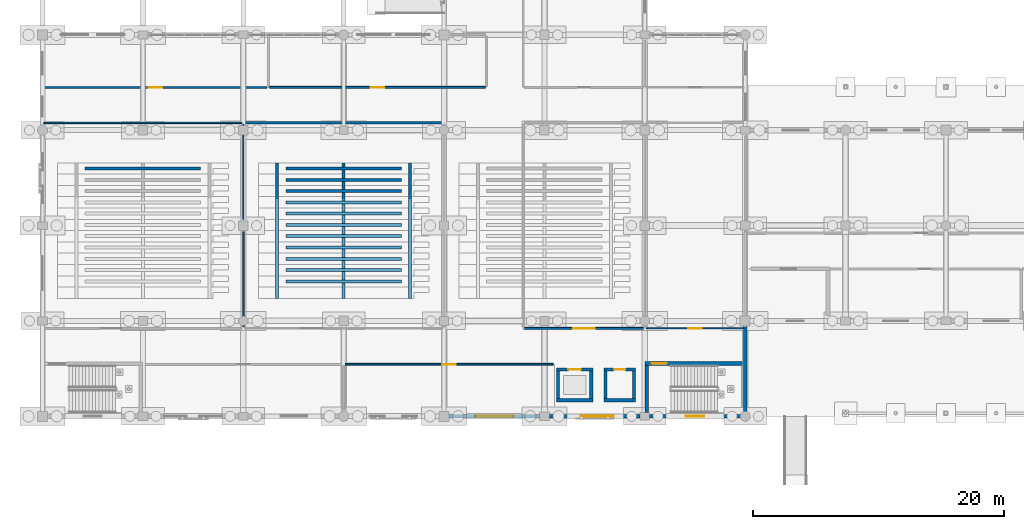
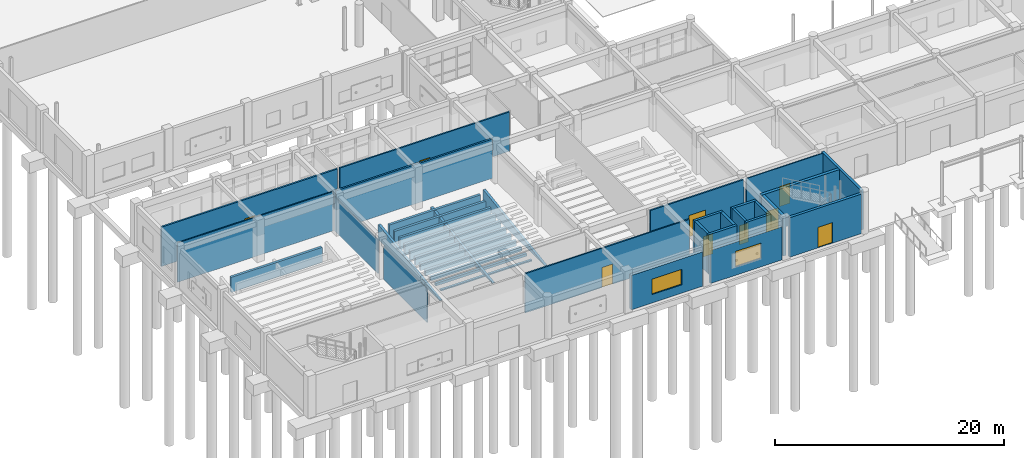
# One storey, part 128 of 166: 38 walls, 9 doors, 2 windows, 11 openings.
"""IFC4 building model written with IfcOpenShell, lengths in metres."""

from ifc_helpers import new_model, si_unit, direction, frame, frame_2d, origin, place, context, subcontext, project, spatial, polyline, rectangle, outline, extrude, material, layer, layer_set, type_object, element, fill, save


model = new_model("IFC4")

# Units and contexts
model_context = context("Model", 3, precision=1e-05, world=origin(), true_north=direction((0.0, 1.0)))
body_context = subcontext(model_context, "Body", "Model", "MODEL_VIEW")
ifc_project = project(units=[si_unit("LENGTHUNIT", "METRE"), si_unit("AREAUNIT", "SQUARE_METRE"), si_unit("VOLUMEUNIT", "CUBIC_METRE"), si_unit("PLANEANGLEUNIT", "RADIAN"), si_unit("MASSUNIT", "GRAM", prefix="KILO")], contexts=[model_context])

# Site, building, storey
site_placement = place(None, origin())
site = spatial("IfcSite", under=ifc_project, at=site_placement, CompositionType="ELEMENT")
building_placement = place(site_placement, origin())
building = spatial("IfcBuilding", under=site, at=building_placement, Name="Kharva Crest Polytechnic", CompositionType="ELEMENT")
storey_placement = place(building_placement, origin())
storey = spatial("IfcBuildingStorey", under=building, at=storey_placement, Name="L00", CompositionType="ELEMENT", Elevation=0.0)

# Wall, opening, door
ifc_material_1 = material(Name="Concrete C40/50", Category="concrete")
ifc_layer_1 = layer(ifc_material_1, 0.300048828125, Name="Concrete C40/50")
ifc_layer_set_1 = layer_set([ifc_layer_1], Name="Concrete C40/50")
wall_type_1 = type_object("IfcWallType", Name="WL-CORE-CW2-300", PredefinedType="SHEAR", material=ifc_layer_set_1)
wall_1_placement = place(storey_placement, frame((48.0, 4.2099609375, 0.0), z_axis=(0.0, 0.0, 1.0), x_axis=(1.0, 0.0, 0.0)))
wall_1 = element("IfcWall", 1, at=wall_1_placement, inside=storey, type_object=wall_type_1, Name="L00 South-West Lecture Core C1 North Shear Wall", PredefinedType="SHEAR", context=body_context, shape_type="SweptSolid", body=[
    extrude(rectangle(XDim=8.0, YDim=0.300048828125, at=frame_2d((4.0, 0.0))), origin(), (0.0, 0.0, 1.0), 4.219970703125),
])
opening_1_placement = place(wall_1_placement, frame((0.550048828125, 0.0, 0.0)))
opening_1 = element("IfcOpeningElement", 2, at=opening_1_placement, cuts=wall_1, Name="Opening FD1", PredefinedType="OPENING", context=body_context, shape_type="SweptSolid", body=[
    extrude(rectangle(XDim=1.199951171875, YDim=2.199951171875, at=frame_2d((0.60009765625, 1.10009765625))), frame((0.0, 0.159912109375, 0.0), z_axis=(0.0, -1.0, 0.0), x_axis=(1.0, 0.0, 0.0)), (0.0, 0.0, 1.0), 0.320068359375),
])
ifc_material_2 = material(Name="Teak timber", Category="wood")
door_type_1 = type_object("IfcDoorType", Name="DR-STAIR-1200X2200", OperationType="NOTDEFINED", PredefinedType="DOOR", material=ifc_material_2)
door_1_placement = place(opening_1_placement, origin())
door_1 = element("IfcDoor", 3, at=door_1_placement, inside=storey, type_object=door_type_1, Name="L00 ST-01 Stair Door", OperationType="SINGLE_SWING_LEFT", OverallHeight=2.199951171875, OverallWidth=1.199951171875, PredefinedType="DOOR", context=body_context, shape_type="SweptSolid", body=[
    extrude(rectangle(XDim=1.199951171875, YDim=2.199951171875, at=frame_2d((0.60009765625, 1.10009765625))), frame((0.0, 0.02490234375, 0.0), z_axis=(0.0, -1.0, 0.0), x_axis=(1.0, 0.0, 0.0)), (0.0, 0.0, 1.0), 0.050048828125),
])
fill(opening_1, door_1)

# Walls
wall_2_placement = place(storey_placement, frame((48.14990234375, 0.300048828125, 0.0), z_axis=(0.0, 0.0, 1.0), x_axis=(0.0, 1.0, 0.0)))
element("IfcWall", 4, at=wall_2_placement, inside=storey, type_object=wall_type_1, Name="L00 South-West Lecture Core C1 West Shear Wall", PredefinedType="SHEAR", context=body_context, shape_type="SweptSolid", body=[
    extrude(rectangle(XDim=3.760009765625, YDim=0.300048828125, at=frame_2d((1.8798828125, 0.0))), origin(), (0.0, 0.0, 1.0), 4.219970703125),
])
ifc_material_3 = material(Name="Kiln brick masonry", Category="masonry")
ifc_layer_2 = layer(ifc_material_3, 0.260009765625, Name="Kiln brick masonry")
ifc_layer_set_2 = layer_set([ifc_layer_2], Name="Kiln brick masonry")
wall_type_2 = type_object("IfcWallType", Name="WL-EXT-BRK-260", PredefinedType="SOLIDWALL", material=ifc_layer_set_2)
wall_3_placement = place(storey_placement, frame((56.0, 0.3359375, 0.0), z_axis=(0.0, 0.0, 1.0), x_axis=(0.0, 1.0, 0.0)))
element("IfcWall", 5, at=wall_3_placement, inside=storey, type_object=wall_type_2, Name="L00 Exterior Brick Wall 19", PredefinedType="SOLIDWALL", context=body_context, shape_type="SweptSolid", body=[
    extrude(rectangle(XDim=6.869140625, YDim=0.260009765625, at=frame_2d((3.4345703125, 0.0))), origin(), (0.0, 0.0, 1.0), 4.219970703125),
])

# Wall, opening, door
ifc_layer_3 = layer(ifc_material_3, 0.27490234375, Name="Kiln brick masonry")
ifc_layer_set_3 = layer_set([ifc_layer_3], Name="Kiln brick masonry")
wall_type_3 = type_object("IfcWallType", Name="WL-EXT-BRK-275", PredefinedType="SOLIDWALL", material=ifc_layer_set_3)
wall_4_placement = place(storey_placement, frame((48.385009765625, 0.0, 0.0), z_axis=(0.0, 0.0, 1.0), x_axis=(1.0, 0.0, 0.0)))
wall_4 = element("IfcWall", 6, at=wall_4_placement, inside=storey, type_object=wall_type_3, Name="L00 Exterior Brick Wall 18", PredefinedType="SOLIDWALL", context=body_context, shape_type="SweptSolid", body=[
    extrude(rectangle(XDim=7.279052734375, YDim=0.27490234375, at=frame_2d((3.6396484375, 0.0))), origin(), (0.0, 0.0, 1.0), 4.219970703125),
])
opening_2_placement = place(wall_4_placement, frame((2.889892578125, 0.0, 0.0)))
opening_2 = element("IfcOpeningElement", 7, at=opening_2_placement, cuts=wall_4, Name="Opening ED5", PredefinedType="OPENING", context=body_context, shape_type="SweptSolid", body=[
    extrude(rectangle(XDim=1.449951171875, YDim=2.199951171875, at=frame_2d((0.72509765625, 1.10009765625))), frame((0.0, 0.1474609375, 0.0), z_axis=(0.0, -1.0, 0.0), x_axis=(1.0, 0.0, 0.0)), (0.0, 0.0, 1.0), 0.294921875),
])
ifc_material_4 = material(Name="Anodised aluminium", Category="aluminium")
door_type_2 = type_object("IfcDoorType", Name="DR-EXT-ESC-1450X2200", OperationType="NOTDEFINED", PredefinedType="DOOR", material=ifc_material_4)
door_2_placement = place(opening_2_placement, frame((1.449951171875, 0.0, 0.0), z_axis=(0.0, 0.0, 1.0), x_axis=(-1.0, 0.0, 0.0)))
door_2 = element("IfcDoor", 8, at=door_2_placement, inside=storey, type_object=door_type_2, Name="L00 Core C1 Final Exit Door", OperationType="SINGLE_SWING_LEFT", OverallHeight=2.199951171875, OverallWidth=1.449951171875, PredefinedType="DOOR", context=body_context, shape_type="SweptSolid", body=[
    extrude(rectangle(XDim=1.449951171875, YDim=2.199951171875, at=frame_2d((0.72509765625, 1.10009765625))), frame((0.0, 0.02490234375, 0.0), z_axis=(0.0, -1.0, 0.0), x_axis=(1.0, 0.0, 0.0)), (0.0, 0.0, 1.0), 0.050048828125),
])
fill(opening_2, door_2)

# Wall, opening, window
ifc_layer_4 = layer(ifc_material_3, 0.2900390625, Name="Kiln brick masonry")
ifc_layer_set_4 = layer_set([ifc_layer_4], Name="Kiln brick masonry")
wall_type_4 = type_object("IfcWallType", Name="WL-EXT-BRK-290", PredefinedType="SOLIDWALL", material=ifc_layer_set_4)
wall_5_placement = place(storey_placement, frame((40.39501953125, 0.0, 0.0), z_axis=(0.0, 0.0, 1.0), x_axis=(1.0, 0.0, 0.0)))
wall_5 = element("IfcWall", 9, at=wall_5_placement, inside=storey, type_object=wall_type_4, Name="L00 Exterior Brick Wall 17", PredefinedType="SOLIDWALL", context=body_context, shape_type="SweptSolid", body=[
    extrude(rectangle(XDim=7.219970703125, YDim=0.2900390625, at=frame_2d((3.60986328125, 0.0))), origin(), (0.0, 0.0, 1.0), 3.5400390625),
])
opening_3_placement = place(wall_5_placement, frame((2.511962890625, 0.0, 0.89990234375)))
opening_3 = element("IfcOpeningElement", 10, at=opening_3_placement, cuts=wall_5, Name="Opening W24", PredefinedType="OPENING", context=body_context, shape_type="SweptSolid", body=[
    extrude(rectangle(XDim=2.60009765625, YDim=1.64990234375, at=frame_2d((1.300048828125, 0.824951171875))), frame((0.0, 0.155029296875, 0.0), z_axis=(0.0, -1.0, 0.0), x_axis=(1.0, 0.0, 0.0)), (0.0, 0.0, 1.0), 0.31005859375),
])
window_type_1 = type_object("IfcWindowType", Name="WIN-ALU-2600X1650", PartitioningType="SINGLE_PANEL", PredefinedType="WINDOW", material=ifc_material_4)
window_1_placement = place(opening_3_placement, origin())
window_1 = element("IfcWindow", 11, at=window_1_placement, inside=storey, type_object=window_type_1, Name="L00 Exterior Window 23", OverallHeight=1.64990234375, OverallWidth=2.60009765625, PartitioningType="SINGLE_PANEL", PredefinedType="WINDOW", context=body_context, shape_type="SweptSolid", body=[
    extrude(rectangle(XDim=2.60009765625, YDim=1.64990234375, at=frame_2d((1.300048828125, 0.824951171875))), frame((0.0, 0.030029296875, 0.0), z_axis=(0.0, -1.0, 0.0), x_axis=(1.0, 0.0, 0.0)), (0.0, 0.0, 1.0), 0.06005859375),
])
fill(opening_3, window_1)

ifc_layer_5 = layer(ifc_material_3, 0.304931640625, Name="Kiln brick masonry")
ifc_layer_set_5 = layer_set([ifc_layer_5], Name="Kiln brick masonry")
wall_type_5 = type_object("IfcWallType", Name="WL-EXT-BRK-305", PredefinedType="SOLIDWALL", material=ifc_layer_set_5)
wall_6_placement = place(storey_placement, frame((32.39501953125, 0.0, 0.0), z_axis=(0.0, 0.0, 1.0), x_axis=(1.0, 0.0, 0.0)))
wall_6 = element("IfcWall", 12, at=wall_6_placement, inside=storey, type_object=wall_type_5, Name="L00 Exterior Brick Wall 16", PredefinedType="SOLIDWALL", context=body_context, shape_type="SweptSolid", body=[
    extrude(rectangle(XDim=7.2099609375, YDim=0.304931640625, at=frame_2d((3.60498046875, 0.0))), origin(), (0.0, 0.0, 1.0), 3.669921875),
])
opening_4_placement = place(wall_6_placement, frame((2.10498046875, 0.0, 0.89990234375)))
opening_4 = element("IfcOpeningElement", 13, at=opening_4_placement, cuts=wall_6, Name="Opening W23", PredefinedType="OPENING", context=body_context, shape_type="SweptSolid", body=[
    extrude(rectangle(XDim=3.0, YDim=1.64990234375, at=frame_2d((1.5, 0.824951171875))), frame((0.0, 0.162353515625, 0.0), z_axis=(0.0, -1.0, 0.0), x_axis=(1.0, 0.0, 0.0)), (0.0, 0.0, 1.0), 0.324951171875),
])
window_type_2 = type_object("IfcWindowType", Name="WIN-ALU-3000X1650", PartitioningType="SINGLE_PANEL", PredefinedType="WINDOW", material=ifc_material_4)
window_2_placement = place(opening_4_placement, origin())
window_2 = element("IfcWindow", 14, at=window_2_placement, inside=storey, type_object=window_type_2, Name="L00 Exterior Window 22", OverallHeight=1.64990234375, OverallWidth=3.0, PartitioningType="SINGLE_PANEL", PredefinedType="WINDOW", context=body_context, shape_type="SweptSolid", body=[
    extrude(rectangle(XDim=3.0, YDim=1.64990234375, at=frame_2d((1.5, 0.824951171875))), frame((0.0, 0.030029296875, 0.0), z_axis=(0.0, -1.0, 0.0), x_axis=(1.0, 0.0, 0.0)), (0.0, 0.0, 1.0), 0.06005859375),
])
fill(opening_4, window_2)

# Wall
ifc_layer_6 = layer(ifc_material_3, 0.10009765625, Name="Kiln brick masonry")
ifc_layer_set_6 = layer_set([ifc_layer_6], Name="Kiln brick masonry")
wall_type_6 = type_object("IfcWallType", Name="WL-PART-100", PredefinedType="PARTITIONING", material=ifc_layer_set_6)
wall_7_placement = place(storey_placement, frame((16.0, 15.7099609375, 0.0), z_axis=(0.0, 0.0, 1.0), x_axis=(0.0, 1.0, 0.0)))
element("IfcWall", 15, at=wall_7_placement, inside=storey, type_object=wall_type_6, Name="L00 Interior Partition 48", PredefinedType="PARTITIONING", context=body_context, shape_type="SweptSolid", body=[
    extrude(rectangle(XDim=7.570068359375, YDim=0.10009765625, at=frame_2d((3.78515625, 0.0))), origin(), (0.0, 0.0, 1.0), 3.639892578125),
])

# Wall, opening, door
wall_8_placement = place(storey_placement, frame((48.1201171875, 7.010009765625, 0.0), z_axis=(0.0, 0.0, 1.0), x_axis=(1.0, 0.0, 0.0)))
wall_8 = element("IfcWall", 16, at=wall_8_placement, inside=storey, type_object=wall_type_6, Name="L00 Interior Partition 58", PredefinedType="PARTITIONING", context=body_context, shape_type="SweptSolid", body=[
    extrude(rectangle(XDim=7.769775390625, YDim=0.10009765625, at=frame_2d((3.884765625, 0.0))), origin(), (0.0, 0.0, 1.0), 4.199951171875),
])
opening_5_placement = place(wall_8_placement, frame((3.344970703125, 0.0, 0.0)))
opening_5 = element("IfcOpeningElement", 17, at=opening_5_placement, cuts=wall_8, Name="Opening ID10", PredefinedType="OPENING", context=body_context, shape_type="SweptSolid", body=[
    extrude(rectangle(XDim=1.080078125, YDim=2.14990234375, at=frame_2d((0.5400390625, 1.074951171875))), frame((0.0, 0.06005859375, 0.0), z_axis=(0.0, -1.0, 0.0), x_axis=(1.0, 0.0, 0.0)), (0.0, 0.0, 1.0), 0.1201171875),
])
door_type_3 = type_object("IfcDoorType", Name="DR-CLS-1080X2150", OperationType="NOTDEFINED", PredefinedType="DOOR", material=ifc_material_2)
door_3_placement = place(opening_5_placement, origin())
door_3 = element("IfcDoor", 18, at=door_3_placement, inside=storey, type_object=door_type_3, Name="L00 AV Preparation Seminar Room Door", OperationType="SINGLE_SWING_RIGHT", OverallHeight=2.14990234375, OverallWidth=1.080078125, PredefinedType="DOOR", context=body_context, shape_type="SweptSolid", body=[
    extrude(rectangle(XDim=1.080078125, YDim=2.14990234375, at=frame_2d((0.5400390625, 1.074951171875))), frame((0.0, 0.02490234375, 0.0), z_axis=(0.0, -1.0, 0.0), x_axis=(1.0, 0.0, 0.0)), (0.0, 0.0, 1.0), 0.050048828125),
])
fill(opening_5, door_3)

# Walls
ifc_layer_7 = layer(ifc_material_3, 0.110107421875, Name="Kiln brick masonry")
ifc_layer_set_7 = layer_set([ifc_layer_7], Name="Kiln brick masonry")
wall_type_7 = type_object("IfcWallType", Name="WL-PART-110", PredefinedType="PARTITIONING", material=ifc_layer_set_7)
wall_9_placement = place(storey_placement, frame((16.0, 7.1201171875, 0.0), z_axis=(0.0, 0.0, 1.0), x_axis=(0.0, 1.0, 0.0)))
element("IfcWall", 19, at=wall_9_placement, inside=storey, type_object=wall_type_7, Name="L00 Interior Partition 47", PredefinedType="PARTITIONING", context=body_context, shape_type="SweptSolid", body=[
    extrude(rectangle(XDim=7.56982421875, YDim=0.110107421875, at=frame_2d((3.784912109375, 0.0))), origin(), (0.0, 0.0, 1.0), 3.60009765625),
])
ifc_layer_8 = layer(ifc_material_3, 0.1201171875, Name="Kiln brick masonry")
ifc_layer_set_8 = layer_set([ifc_layer_8], Name="Kiln brick masonry")
wall_type_8 = type_object("IfcWallType", Name="WL-PART-120", PredefinedType="PARTITIONING", material=ifc_layer_set_8)
wall_10_placement = place(storey_placement, frame((0.110107421875, 23.389892578125, 0.0), z_axis=(0.0, 0.0, 1.0), x_axis=(1.0, 0.0, 0.0)))
element("IfcWall", 20, at=wall_10_placement, inside=storey, type_object=wall_type_8, Name="L00 Interior Partition 46", PredefinedType="PARTITIONING", context=body_context, shape_type="SweptSolid", body=[
    extrude(rectangle(XDim=15.77978515625, YDim=0.1201171875, at=frame_2d((7.889892578125, 0.0))), origin(), (0.0, 0.0, 1.0), 4.199951171875),
])

# Wall, opening, door
ifc_layer_9 = layer(ifc_material_3, 0.139892578125, Name="Kiln brick masonry")
ifc_layer_set_9 = layer_set([ifc_layer_9], Name="Kiln brick masonry")
wall_type_9 = type_object("IfcWallType", Name="WL-PART-140", PredefinedType="PARTITIONING", material=ifc_layer_set_9)
wall_11_placement = place(storey_placement, frame((24.1201171875, 4.139892578125, 0.0), z_axis=(0.0, 0.0, 1.0), x_axis=(1.0, 0.0, 0.0)))
wall_11 = element("IfcWall", 21, at=wall_11_placement, inside=storey, type_object=wall_type_9, Name="L00 Interior Partition 44", PredefinedType="PARTITIONING", context=body_context, shape_type="SweptSolid", body=[
    extrude(rectangle(XDim=16.56982421875, YDim=0.139892578125, at=frame_2d((8.284912109375, 0.0))), origin(), (0.0, 0.0, 1.0), 4.199951171875),
])
opening_6_placement = place(wall_11_placement, frame((7.7451171875, 0.0, 0.0)))
opening_6 = element("IfcOpeningElement", 22, at=opening_6_placement, cuts=wall_11, Name="Opening ID10", PredefinedType="OPENING", context=body_context, shape_type="SweptSolid", body=[
    extrude(rectangle(XDim=1.080078125, YDim=2.14990234375, at=frame_2d((0.5400390625, 1.074951171875))), frame((0.0, 0.079833984375, 0.0), z_axis=(0.0, -1.0, 0.0), x_axis=(1.0, 0.0, 0.0)), (0.0, 0.0, 1.0), 0.159912109375),
])
door_4_placement = place(opening_6_placement, origin())
door_4 = element("IfcDoor", 23, at=door_4_placement, inside=storey, type_object=door_type_3, Name="L00 Classroom L00-B Door", OperationType="SINGLE_SWING_LEFT", OverallHeight=2.14990234375, OverallWidth=1.080078125, PredefinedType="DOOR", context=body_context, shape_type="SweptSolid", body=[
    extrude(rectangle(XDim=1.080078125, YDim=2.14990234375, at=frame_2d((0.5400390625, 1.074951171875))), frame((0.0, 0.02490234375, 0.0), z_axis=(0.0, -1.0, 0.0), x_axis=(1.0, 0.0, 0.0)), (0.0, 0.0, 1.0), 0.050048828125),
])
fill(opening_6, door_4)

ifc_layer_10 = layer(ifc_material_3, 0.14990234375, Name="Kiln brick masonry")
ifc_layer_set_10 = layer_set([ifc_layer_10], Name="Kiln brick masonry")
wall_type_10 = type_object("IfcWallType", Name="WL-PART-150", PredefinedType="PARTITIONING", material=ifc_layer_set_10)
wall_12_placement = place(storey_placement, frame((38.419921875, 7.010009765625, 0.0), z_axis=(0.0, 0.0, 1.0), x_axis=(1.0, 0.0, 0.0)))
wall_12 = element("IfcWall", 24, at=wall_12_placement, inside=storey, type_object=wall_type_10, Name="L00 Interior Partition 53", PredefinedType="PARTITIONING", context=body_context, shape_type="SweptSolid", body=[
    extrude(rectangle(XDim=9.469970703125, YDim=0.14990234375, at=frame_2d((4.73486328125, 0.0))), origin(), (0.0, 0.0, 1.0), 4.199951171875),
])
opening_7_placement = place(wall_12_placement, frame((3.885009765625, 0.0, 0.0)))
opening_7 = element("IfcOpeningElement", 25, at=opening_7_placement, cuts=wall_12, Name="Opening ID2", PredefinedType="OPENING", context=body_context, shape_type="SweptSolid", body=[
    extrude(rectangle(XDim=1.699951171875, YDim=2.300048828125, at=frame_2d((0.85009765625, 1.14990234375))), frame((0.0, 0.0849609375, 0.0), z_axis=(0.0, -1.0, 0.0), x_axis=(1.0, 0.0, 0.0)), (0.0, 0.0, 1.0), 0.169921875),
])
door_type_4 = type_object("IfcDoorType", Name="DR-LECT-DBL-1700X2300", OperationType="NOTDEFINED", PredefinedType="DOOR", material=ifc_material_2)
door_5_placement = place(opening_7_placement, origin())
door_5 = element("IfcDoor", 26, at=door_5_placement, inside=storey, type_object=door_type_4, Name="L00 Lecture Theatre 3 Door", OperationType="DOUBLE_DOOR_SINGLE_SWING", OverallHeight=2.300048828125, OverallWidth=1.699951171875, PredefinedType="DOOR", context=body_context, shape_type="SweptSolid", body=[
    extrude(rectangle(XDim=1.699951171875, YDim=2.300048828125, at=frame_2d((0.85009765625, 1.14990234375))), frame((0.0, 0.02490234375, 0.0), z_axis=(0.0, -1.0, 0.0), x_axis=(1.0, 0.0, 0.0)), (0.0, 0.0, 1.0), 0.050048828125),
])
fill(opening_7, door_5)

wall_13_placement = place(storey_placement, frame((18.1201171875, 26.2099609375, 0.0), z_axis=(0.0, 0.0, 1.0), x_axis=(1.0, 0.0, 0.0)))
wall_13 = element("IfcWall", 27, at=wall_13_placement, inside=storey, type_object=wall_type_10, Name="L00 Interior Partition 63", PredefinedType="PARTITIONING", context=body_context, shape_type="SweptSolid", body=[
    extrude(rectangle(XDim=17.159912109375, YDim=0.14990234375, at=frame_2d((8.580078125, 0.0))), origin(), (0.0, 0.0, 1.0), 4.199951171875),
])
opening_8_placement = place(wall_13_placement, frame((8.0400390625, 0.0, 0.0)))
opening_8 = element("IfcOpeningElement", 28, at=opening_8_placement, cuts=wall_13, Name="Opening ID10", PredefinedType="OPENING", context=body_context, shape_type="SweptSolid", body=[
    extrude(rectangle(XDim=1.080078125, YDim=2.14990234375, at=frame_2d((0.5400390625, 1.074951171875))), frame((0.0, 0.0849609375, 0.0), z_axis=(0.0, -1.0, 0.0), x_axis=(1.0, 0.0, 0.0)), (0.0, 0.0, 1.0), 0.169921875),
])
door_6_placement = place(opening_8_placement, origin())
door_6 = element("IfcDoor", 29, at=door_6_placement, inside=storey, type_object=door_type_3, Name="L00 Seminar Room L00-D Door", OperationType="SINGLE_SWING_RIGHT", OverallHeight=2.14990234375, OverallWidth=1.080078125, PredefinedType="DOOR", context=body_context, shape_type="SweptSolid", body=[
    extrude(rectangle(XDim=1.080078125, YDim=2.14990234375, at=frame_2d((0.5400390625, 1.074951171875))), frame((0.0, 0.02490234375, 0.0), z_axis=(0.0, -1.0, 0.0), x_axis=(1.0, 0.0, 0.0)), (0.0, 0.0, 1.0), 0.050048828125),
])
fill(opening_8, door_6)

ifc_layer_11 = layer(ifc_material_3, 0.169921875, Name="Kiln brick masonry")
ifc_layer_set_11 = layer_set([ifc_layer_11], Name="Kiln brick masonry")
wall_type_11 = type_object("IfcWallType", Name="WL-PART-170", PredefinedType="PARTITIONING", material=ifc_layer_set_11)
wall_14_placement = place(storey_placement, frame((0.110107421875, 26.2099609375, 0.0), z_axis=(0.0, 0.0, 1.0), x_axis=(1.0, 0.0, 0.0)))
wall_14 = element("IfcWall", 30, at=wall_14_placement, inside=storey, type_object=wall_type_11, Name="L00 Interior Partition 61", PredefinedType="PARTITIONING", context=body_context, shape_type="SweptSolid", body=[
    extrude(rectangle(XDim=17.77978515625, YDim=0.169921875, at=frame_2d((8.889892578125, 0.0))), origin(), (0.0, 0.0, 1.0), 4.199951171875),
])
opening_9_placement = place(wall_14_placement, frame((8.3701171875, 0.0, 0.0)))
opening_9 = element("IfcOpeningElement", 31, at=opening_9_placement, cuts=wall_14, Name="Opening ID11", PredefinedType="OPENING", context=body_context, shape_type="SweptSolid", body=[
    extrude(rectangle(XDim=1.0400390625, YDim=2.14990234375, at=frame_2d((0.52001953125, 1.074951171875))), frame((0.0, 0.094970703125, 0.0), z_axis=(0.0, -1.0, 0.0), x_axis=(1.0, 0.0, 0.0)), (0.0, 0.0, 1.0), 0.18994140625),
])
door_type_5 = type_object("IfcDoorType", Name="DR-CLS-1040X2150", OperationType="NOTDEFINED", PredefinedType="DOOR", material=ifc_material_2)
door_7_placement = place(opening_9_placement, origin())
door_7 = element("IfcDoor", 32, at=door_7_placement, inside=storey, type_object=door_type_5, Name="L00 Seminar Room L00-C Door", OperationType="SINGLE_SWING_LEFT", OverallHeight=2.14990234375, OverallWidth=1.0400390625, PredefinedType="DOOR", context=body_context, shape_type="SweptSolid", body=[
    extrude(rectangle(XDim=1.0400390625, YDim=2.14990234375, at=frame_2d((0.52001953125, 1.074951171875))), frame((0.0, 0.02490234375, 0.0), z_axis=(0.0, -1.0, 0.0), x_axis=(1.0, 0.0, 0.0)), (0.0, 0.0, 1.0), 0.050048828125),
])
fill(opening_9, door_7)

# Walls
ifc_layer_12 = layer(ifc_material_3, 0.179931640625, Name="Kiln brick masonry")
ifc_layer_set_12 = layer_set([ifc_layer_12], Name="Kiln brick masonry")
wall_type_12 = type_object("IfcWallType", Name="WL-PART-180", PredefinedType="PARTITIONING", material=ifc_layer_set_12)
wall_15_placement = place(storey_placement, frame((16.1201171875, 23.389892578125, 0.0), z_axis=(0.0, 0.0, 1.0), x_axis=(1.0, 0.0, 0.0)))
element("IfcWall", 33, at=wall_15_placement, inside=storey, type_object=wall_type_12, Name="L00 Interior Partition 50", PredefinedType="PARTITIONING", context=body_context, shape_type="SweptSolid", body=[
    extrude(rectangle(XDim=15.769775390625, YDim=0.179931640625, at=frame_2d((7.884765625, 0.0))), origin(), (0.0, 0.0, 1.0), 4.199951171875),
])
ifc_layer_13 = layer(ifc_material_1, 0.25, Name="Concrete C40/50")
ifc_layer_set_13 = layer_set([ifc_layer_13], Name="Concrete C40/50")
wall_type_13 = type_object("IfcWallType", Name="WL-SHEAR-SW1-250", PredefinedType="SHEAR", material=ifc_layer_set_13)
wall_16_placement = place(storey_placement, frame((40.949951171875, 1.27490234375, 0.0), z_axis=(0.0, 0.0, 1.0), x_axis=(1.0, 0.0, 0.0)))
element("IfcWall", 34, at=wall_16_placement, inside=storey, type_object=wall_type_13, Name="L00 Lift PL1 South Shaft Wall", PredefinedType="SHEAR", context=body_context, shape_type="SweptSolid", body=[
    extrude(rectangle(XDim=2.900146484375, YDim=0.25, at=frame_2d((1.4501953125, 0.0))), origin(), (0.0, 0.0, 1.0), 4.219970703125),
])

# Wall, opening, door
wall_17_placement = place(storey_placement, frame((40.949951171875, 3.72509765625, 0.0), z_axis=(0.0, 0.0, 1.0), x_axis=(1.0, 0.0, 0.0)))
wall_17 = element("IfcWall", 35, at=wall_17_placement, inside=storey, type_object=wall_type_13, Name="L00 Lift PL1 North Shaft Wall", PredefinedType="SHEAR", context=body_context, shape_type="SweptSolid", body=[
    extrude(rectangle(XDim=2.900146484375, YDim=0.25, at=frame_2d((1.4501953125, 0.0))), origin(), (0.0, 0.0, 1.0), 4.219970703125),
])
opening_10_placement = place(wall_17_placement, frame((0.949951171875, 0.0, 0.0)))
opening_10 = element("IfcOpeningElement", 36, at=opening_10_placement, cuts=wall_17, Name="Opening LD2", PredefinedType="OPENING", context=body_context, shape_type="SweptSolid", body=[
    extrude(rectangle(XDim=1.0, YDim=2.14990234375, at=frame_2d((0.5, 1.074951171875))), frame((0.0, 0.135009765625, 0.0), z_axis=(0.0, -1.0, 0.0), x_axis=(1.0, 0.0, 0.0)), (0.0, 0.0, 1.0), 0.27001953125),
])
door_type_6 = type_object("IfcDoorType", Name="DR-LIFT-LD2-1000X2150", OperationType="SLIDING_TO_LEFT", PredefinedType="DOOR", material=ifc_material_4)
door_8_placement = place(opening_10_placement, origin())
door_8 = element("IfcDoor", 37, at=door_8_placement, inside=storey, type_object=door_type_6, Name="L00 Lift PL1 Sliding Landing Door", OperationType="SLIDING_TO_LEFT", OverallHeight=2.14990234375, OverallWidth=1.0, PredefinedType="DOOR", context=body_context, shape_type="SweptSolid", body=[
    extrude(rectangle(XDim=1.0, YDim=2.14990234375, at=frame_2d((0.5, 1.074951171875))), frame((0.0, 0.02490234375, 0.0), z_axis=(0.0, -1.0, 0.0), x_axis=(1.0, 0.0, 0.0)), (0.0, 0.0, 1.0), 0.050048828125),
])
fill(opening_10, door_8)

# Walls
for number, where, z_axis, x_axis, name in (
    (38, (41.074951171875, 1.39990234375, 0.0), (0.0, 0.0, 1.0), (0.0, 1.0, 0.0), "L00 Lift PL1 West Shaft Wall"),
    (39, (43.72509765625, 1.39990234375, 0.0), (0.0, 0.0, 1.0), (0.0, 1.0, 0.0), "L00 Lift PL1 East Shaft Wall"),
):
    element("IfcWall", number, at=place(storey_placement, frame(where, z_axis=z_axis, x_axis=x_axis)), inside=storey, type_object=wall_type_13, Name=name, PredefinedType="SHEAR", context=body_context, shape_type="SweptSolid", body=[
        extrude(rectangle(XDim=2.2001953125, YDim=0.25, at=frame_2d((1.10009765625, 0.0))), origin(), (0.0, 0.0, 1.0), 4.219970703125),
    ])
wall_18_placement = place(storey_placement, frame((44.75, 1.27490234375, 0.0), z_axis=(0.0, 0.0, 1.0), x_axis=(1.0, 0.0, 0.0)))
element("IfcWall", 40, at=wall_18_placement, inside=storey, type_object=wall_type_13, Name="L00 Core C1 Riser South Wall", PredefinedType="SHEAR", context=body_context, shape_type="SweptSolid", body=[
    extrude(rectangle(XDim=2.5, YDim=0.25, at=frame_2d((1.25, 0.0))), origin(), (0.0, 0.0, 1.0), 4.219970703125),
])

# Wall, opening, door
wall_19_placement = place(storey_placement, frame((44.75, 3.72509765625, 0.0), z_axis=(0.0, 0.0, 1.0), x_axis=(1.0, 0.0, 0.0)))
wall_19 = element("IfcWall", 41, at=wall_19_placement, inside=storey, type_object=wall_type_13, Name="L00 Core C1 Riser North Wall", PredefinedType="SHEAR", context=body_context, shape_type="SweptSolid", body=[
    extrude(rectangle(XDim=2.5, YDim=0.25, at=frame_2d((1.25, 0.0))), origin(), (0.0, 0.0, 1.0), 4.219970703125),
])
opening_11_placement = place(wall_19_placement, frame((0.800048828125, 0.0, 0.0)))
opening_11 = element("IfcOpeningElement", 42, at=opening_11_placement, cuts=wall_19, Name="Opening FD3", PredefinedType="OPENING", context=body_context, shape_type="SweptSolid", body=[
    extrude(rectangle(XDim=0.89990234375, YDim=2.050048828125, at=frame_2d((0.449951171875, 1.02490234375))), frame((0.0, 0.135009765625, 0.0), z_axis=(0.0, -1.0, 0.0), x_axis=(1.0, 0.0, 0.0)), (0.0, 0.0, 1.0), 0.27001953125),
])
door_type_7 = type_object("IfcDoorType", Name="DR-RISER-900X2050", OperationType="NOTDEFINED", PredefinedType="DOOR", material=ifc_material_4)
door_9_placement = place(opening_11_placement, origin())
door_9 = element("IfcDoor", 43, at=door_9_placement, inside=storey, type_object=door_type_7, Name="L00 Core C1 Riser Access Door", OperationType="SINGLE_SWING_RIGHT", OverallHeight=2.050048828125, OverallWidth=0.89990234375, PredefinedType="DOOR", context=body_context, shape_type="SweptSolid", body=[
    extrude(rectangle(XDim=0.89990234375, YDim=2.050048828125, at=frame_2d((0.449951171875, 1.02490234375))), frame((0.0, 0.02490234375, 0.0), z_axis=(0.0, -1.0, 0.0), x_axis=(1.0, 0.0, 0.0)), (0.0, 0.0, 1.0), 0.050048828125),
])
fill(opening_11, door_9)

# Walls
for number, where, z_axis, x_axis, name in (
    (44, (44.875, 1.39990234375, 0.0), (0.0, 0.0, 1.0), (0.0, 1.0, 0.0), "L00 Core C1 Riser West Wall"),
    (45, (47.125, 1.39990234375, 0.0), (0.0, 0.0, 1.0), (0.0, 1.0, 0.0), "L00 Core C1 Riser East Wall"),
):
    element("IfcWall", number, at=place(storey_placement, frame(where, z_axis=z_axis, x_axis=x_axis)), inside=storey, type_object=wall_type_13, Name=name, PredefinedType="SHEAR", context=body_context, shape_type="SweptSolid", body=[
        extrude(rectangle(XDim=2.2001953125, YDim=0.25, at=frame_2d((1.10009765625, 0.0))), origin(), (0.0, 0.0, 1.0), 4.219970703125),
    ])
ifc_material_5 = material(Name="Concrete C35/45", Category="concrete")
ifc_layer_14 = layer(ifc_material_5, 0.239990234375, Name="Concrete C35/45")
ifc_layer_set_14 = layer_set([ifc_layer_14], Name="Concrete C35/45")
wall_type_14 = type_object("IfcWallType", Name="WL-TIER-CHEEK-240", PredefinedType="SOLIDWALL", material=ifc_layer_set_14)
wall_20_placement = place(storey_placement, frame((3.39990234375, 19.75, 0.0), z_axis=(0.0, 0.0, 1.0), x_axis=(1.0, 0.0, 0.0)))
element("IfcWall", 46, at=wall_20_placement, inside=storey, type_object=wall_type_14, Name="L00 Lecture Theatre 1 Tier Sleeper Wall R12", PredefinedType="SOLIDWALL", context=body_context, shape_type="SweptSolid", body=[
    extrude(rectangle(XDim=9.2001953125, YDim=0.239990234375, at=frame_2d((4.60009765625, 0.0))), origin(), (0.0, 0.0, 1.0), 1.614990234375),
])
for number, where, z_axis, x_axis, name in (
    (47, (18.699951171875, 9.39990234375, 0.0), (0.0, 0.0, 1.0), (0.0, 1.0, 0.0), "L00 Lecture Theatre 2 Tier Support Wall 1"),
    (48, (24.0, 9.39990234375, 0.0), (0.0, 0.0, 1.0), (0.0, 1.0, 0.0), "L00 Lecture Theatre 2 Tier Support Wall 2"),
    (49, (29.300048828125, 9.39990234375, 0.0), (0.0, 0.0, 1.0), (0.0, 1.0, 0.0), "L00 Lecture Theatre 2 Tier Support Wall 3"),
):
    element("IfcWall", number, at=place(storey_placement, frame(where, z_axis=z_axis, x_axis=x_axis)), inside=storey, type_object=wall_type_14, Name=name, PredefinedType="SOLIDWALL", context=body_context, shape_type="SweptSolid", body=[
        extrude(outline(polyline([(0.0, 0.0), (10.800048828125, 0.0), (10.800048828125, 1.625), (0.0, 0.050048828125), (0.0, 0.0)])), frame((0.0, 0.1201171875, 0.0), z_axis=(0.0, -1.0, 0.0), x_axis=(1.0, 0.0, 0.0)), (0.0, 0.0, 1.0), 0.239990234375),
    ])
wall_21_placement = place(storey_placement, frame((19.39990234375, 10.75, 0.0), z_axis=(0.0, 0.0, 1.0), x_axis=(1.0, 0.0, 0.0)))
element("IfcWall", 50, at=wall_21_placement, inside=storey, type_object=wall_type_14, Name="L00 Lecture Theatre 2 Tier Sleeper Wall R2", PredefinedType="SOLIDWALL", context=body_context, shape_type="SweptSolid", body=[
    extrude(rectangle(XDim=9.2001953125, YDim=0.239990234375, at=frame_2d((4.60009765625, 0.0))), origin(), (0.0, 0.0, 1.0), 0.125),
])
wall_22_placement = place(storey_placement, frame((19.39990234375, 11.64990234375, 0.0), z_axis=(0.0, 0.0, 1.0), x_axis=(1.0, 0.0, 0.0)))
element("IfcWall", 51, at=wall_22_placement, inside=storey, type_object=wall_type_14, Name="L00 Lecture Theatre 2 Tier Sleeper Wall R3", PredefinedType="SOLIDWALL", context=body_context, shape_type="SweptSolid", body=[
    extrude(rectangle(XDim=9.2001953125, YDim=0.239990234375, at=frame_2d((4.60009765625, 0.0))), origin(), (0.0, 0.0, 1.0), 0.27490234375),
])
wall_23_placement = place(storey_placement, frame((19.39990234375, 12.550048828125, 0.0), z_axis=(0.0, 0.0, 1.0), x_axis=(1.0, 0.0, 0.0)))
element("IfcWall", 52, at=wall_23_placement, inside=storey, type_object=wall_type_14, Name="L00 Lecture Theatre 2 Tier Sleeper Wall R4", PredefinedType="SOLIDWALL", context=body_context, shape_type="SweptSolid", body=[
    extrude(rectangle(XDim=9.2001953125, YDim=0.239990234375, at=frame_2d((4.60009765625, 0.0))), origin(), (0.0, 0.0, 1.0), 0.425048828125),
])
wall_24_placement = place(storey_placement, frame((19.39990234375, 13.449951171875, 0.0), z_axis=(0.0, 0.0, 1.0), x_axis=(1.0, 0.0, 0.0)))
element("IfcWall", 53, at=wall_24_placement, inside=storey, type_object=wall_type_14, Name="L00 Lecture Theatre 2 Tier Sleeper Wall R5", PredefinedType="SOLIDWALL", context=body_context, shape_type="SweptSolid", body=[
    extrude(rectangle(XDim=9.2001953125, YDim=0.239990234375, at=frame_2d((4.60009765625, 0.0))), origin(), (0.0, 0.0, 1.0), 0.574951171875),
])
wall_25_placement = place(storey_placement, frame((19.39990234375, 14.35009765625, 0.0), z_axis=(0.0, 0.0, 1.0), x_axis=(1.0, 0.0, 0.0)))
element("IfcWall", 54, at=wall_25_placement, inside=storey, type_object=wall_type_14, Name="L00 Lecture Theatre 2 Tier Sleeper Wall R6", PredefinedType="SOLIDWALL", context=body_context, shape_type="SweptSolid", body=[
    extrude(rectangle(XDim=9.2001953125, YDim=0.239990234375, at=frame_2d((4.60009765625, 0.0))), origin(), (0.0, 0.0, 1.0), 0.72509765625),
])
wall_26_placement = place(storey_placement, frame((19.39990234375, 15.25, 0.0), z_axis=(0.0, 0.0, 1.0), x_axis=(1.0, 0.0, 0.0)))
element("IfcWall", 55, at=wall_26_placement, inside=storey, type_object=wall_type_14, Name="L00 Lecture Theatre 2 Tier Sleeper Wall R7", PredefinedType="SOLIDWALL", context=body_context, shape_type="SweptSolid", body=[
    extrude(rectangle(XDim=9.2001953125, YDim=0.239990234375, at=frame_2d((4.60009765625, 0.0))), origin(), (0.0, 0.0, 1.0), 0.875),
])
wall_27_placement = place(storey_placement, frame((19.39990234375, 16.14990234375, 0.0), z_axis=(0.0, 0.0, 1.0), x_axis=(1.0, 0.0, 0.0)))
element("IfcWall", 56, at=wall_27_placement, inside=storey, type_object=wall_type_14, Name="L00 Lecture Theatre 2 Tier Sleeper Wall R8", PredefinedType="SOLIDWALL", context=body_context, shape_type="SweptSolid", body=[
    extrude(rectangle(XDim=9.2001953125, YDim=0.239990234375, at=frame_2d((4.60009765625, 0.0))), origin(), (0.0, 0.0, 1.0), 1.02490234375),
])
wall_28_placement = place(storey_placement, frame((19.39990234375, 17.050048828125, 0.0), z_axis=(0.0, 0.0, 1.0), x_axis=(1.0, 0.0, 0.0)))
element("IfcWall", 57, at=wall_28_placement, inside=storey, type_object=wall_type_14, Name="L00 Lecture Theatre 2 Tier Sleeper Wall R9", PredefinedType="SOLIDWALL", context=body_context, shape_type="SweptSolid", body=[
    extrude(rectangle(XDim=9.2001953125, YDim=0.239990234375, at=frame_2d((4.60009765625, 0.0))), origin(), (0.0, 0.0, 1.0), 1.175048828125),
])
wall_29_placement = place(storey_placement, frame((19.39990234375, 17.949951171875, 0.0), z_axis=(0.0, 0.0, 1.0), x_axis=(1.0, 0.0, 0.0)))
element("IfcWall", 58, at=wall_29_placement, inside=storey, type_object=wall_type_14, Name="L00 Lecture Theatre 2 Tier Sleeper Wall R10", PredefinedType="SOLIDWALL", context=body_context, shape_type="SweptSolid", body=[
    extrude(rectangle(XDim=9.2001953125, YDim=0.239990234375, at=frame_2d((4.60009765625, 0.0))), origin(), (0.0, 0.0, 1.0), 1.324951171875),
])
wall_30_placement = place(storey_placement, frame((19.39990234375, 18.85009765625, 0.0), z_axis=(0.0, 0.0, 1.0), x_axis=(1.0, 0.0, 0.0)))
element("IfcWall", 59, at=wall_30_placement, inside=storey, type_object=wall_type_14, Name="L00 Lecture Theatre 2 Tier Sleeper Wall R11", PredefinedType="SOLIDWALL", context=body_context, shape_type="SweptSolid", body=[
    extrude(rectangle(XDim=9.2001953125, YDim=0.239990234375, at=frame_2d((4.60009765625, 0.0))), origin(), (0.0, 0.0, 1.0), 1.47509765625),
])
wall_31_placement = place(storey_placement, frame((19.39990234375, 19.75, 0.0), z_axis=(0.0, 0.0, 1.0), x_axis=(1.0, 0.0, 0.0)))
element("IfcWall", 60, at=wall_31_placement, inside=storey, type_object=wall_type_14, Name="L00 Lecture Theatre 2 Tier Sleeper Wall R12", PredefinedType="SOLIDWALL", context=body_context, shape_type="SweptSolid", body=[
    extrude(rectangle(XDim=9.2001953125, YDim=0.239990234375, at=frame_2d((4.60009765625, 0.0))), origin(), (0.0, 0.0, 1.0), 1.625),
])

save(model, "model.ifc")
